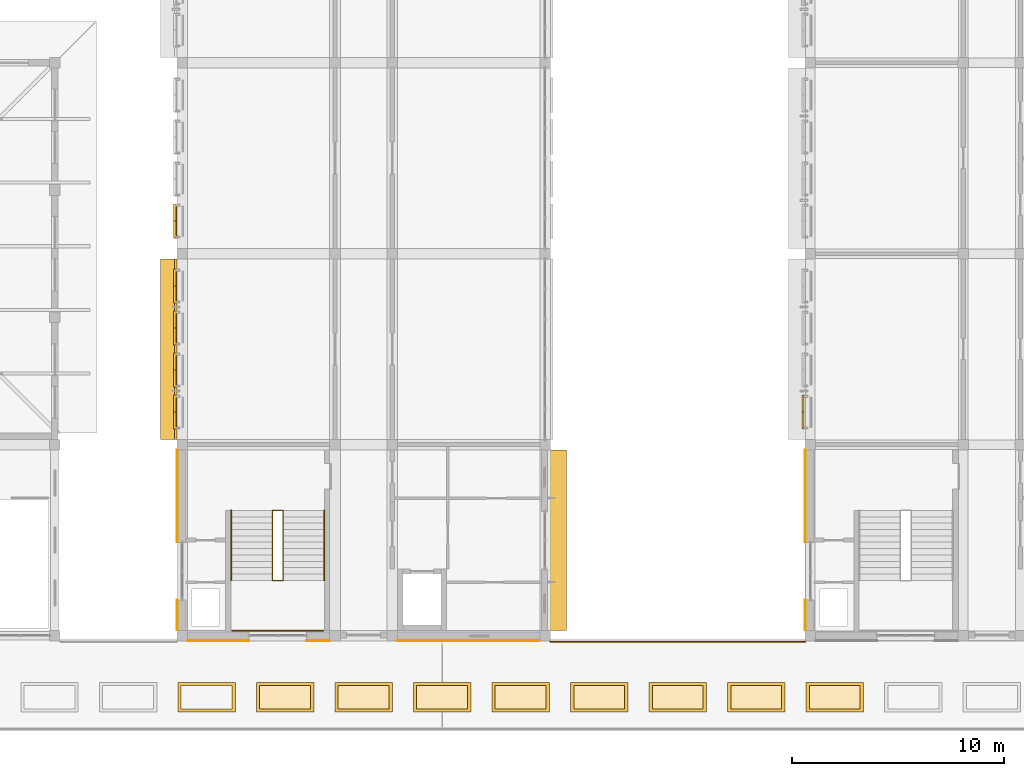
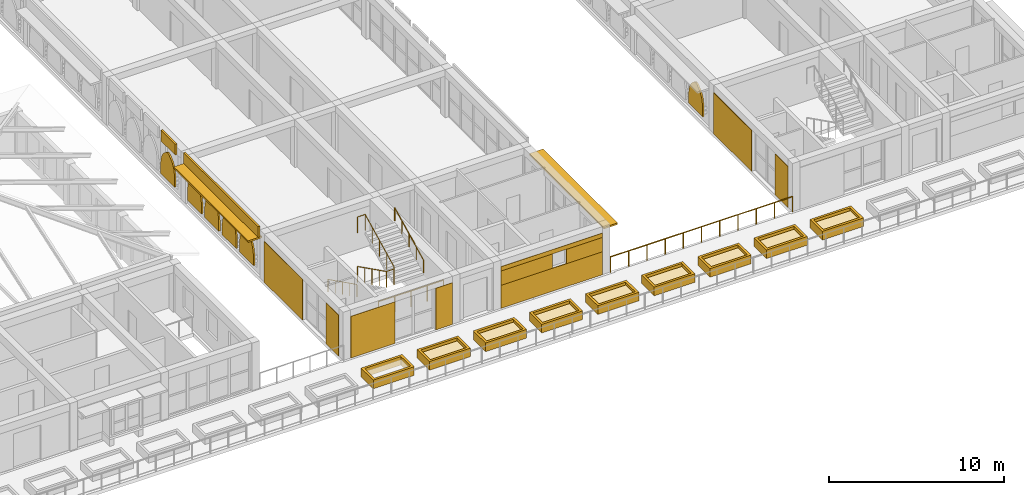
# One storey, part 71 of 82: 29 coverings, 8 shading devices, 5 railings.
"""IFC4 building model written with IfcOpenShell, lengths in metres."""

from ifc_helpers import new_model, si_unit, direction, frame, origin, origin_2d, place, context, subcontext, project, spatial, polyline, rectangle, circle, outline, extrude, material, layer, layer_set, type_object, element, save


model = new_model("IFC4")

# Units and contexts
model_context = context("Model", 3, precision=1e-05, world=origin(), true_north=direction((0.0, 1.0)))
body_context = subcontext(model_context, "Body", "Model", "MODEL_VIEW")
ifc_project = project(units=[si_unit("LENGTHUNIT", "METRE"), si_unit("AREAUNIT", "SQUARE_METRE"), si_unit("VOLUMEUNIT", "CUBIC_METRE"), si_unit("PLANEANGLEUNIT", "RADIAN"), si_unit("MASSUNIT", "GRAM", prefix="KILO")], contexts=[model_context])

# Site, building, storey
site_placement = place(None, origin())
site = spatial("IfcSite", under=ifc_project, at=site_placement, CompositionType="ELEMENT")
building_placement = place(site_placement, origin())
building = spatial("IfcBuilding", under=site, at=building_placement, Name="Elbe Cascade School", CompositionType="ELEMENT")
storey_placement = place(building_placement, frame((0.0, 0.0, 4.5)))
storey = spatial("IfcBuildingStorey", under=building, at=storey_placement, Name="L01", CompositionType="ELEMENT", Elevation=4.5)

# Railings
ifc_material_1 = material(Name="Steel S355J2H, painted", Category="steel")
railing_type_1 = type_object("IfcRailingType", Name="Bar stair guard 1100", PredefinedType="GUARDRAIL", material=ifc_material_1)
railing_1_placement = place(storey_placement, frame((73.25, 11.89990234375, 0.14990234375)))
element("IfcRailing", 1, at=railing_1_placement, inside=storey, type_object=railing_type_1, Name="Stair guard A1.S", PredefinedType="GUARDRAIL", context=body_context, shape_type="SweptSolid", body=[
    extrude(circle(Radius=0.02392578125, at=origin_2d()), frame((0.0, 0.0, 1.09619140625), z_axis=(0.0, -0.894400720042, 0.447266533499), x_axis=(1.0, 0.0, 0.0)), (0.0, 0.0, 1.0), 3.689453125),
    extrude(circle(Radius=0.02392578125, at=origin_2d()), frame((0.0, -3.2998046875, 2.74609375), z_axis=(1.0, 0.0, 0.0), x_axis=(0.0, 1.0, 0.0)), (0.0, 0.0, 1.0), 0.5),
    extrude(circle(Radius=0.02392578125, at=origin_2d()), frame((0.5, -3.2998046875, 2.74609375), z_axis=(0.0, 0.0, 1.0), x_axis=(1.0, 0.0, 0.0)), (0.0, 0.0, 1.0), 0.14990234375),
    extrude(circle(Radius=0.02392578125, at=origin_2d()), frame((0.5, -3.2998046875, 2.89599609375), z_axis=(0.0, 0.894400720042, 0.447266533499), x_axis=(-1.0, 0.0, 0.0)), (0.0, 0.0, 1.0), 3.689453125),
    extrude(circle(Radius=0.02392578125, at=origin_2d()), frame((0.5, 0.0, 4.54638671875), z_axis=(-1.0, 0.0, 0.0), x_axis=(0.0, -1.0, 0.0)), (0.0, 0.0, 1.0), 0.5),
    extrude(circle(Radius=0.02099609375, at=origin_2d()), origin(), (0.0, 0.0, 1.0), 1.072021484375),
    extrude(circle(Radius=0.02099609375, at=origin_2d()), frame((0.0, -0.824951171875, 0.41259765625)), (0.0, 0.0, 1.0), 1.072021484375),
    extrude(circle(Radius=0.02099609375, at=origin_2d()), frame((0.0, -1.64990234375, 0.8251953125)), (0.0, 0.0, 1.0), 1.072021484375),
    extrude(circle(Radius=0.02099609375, at=origin_2d()), frame((0.0, -2.474853515625, 1.237548828125)), (0.0, 0.0, 1.0), 1.072021484375),
    extrude(circle(Radius=0.02099609375, at=origin_2d()), frame((0.0, -3.2998046875, 1.650146484375)), (0.0, 0.0, 1.0), 1.072021484375),
    extrude(circle(Radius=0.02099609375, at=origin_2d()), frame((0.5, -3.2998046875, 1.650146484375)), (0.0, 0.0, 1.0), 1.072021484375),
    extrude(circle(Radius=0.02099609375, at=origin_2d()), frame((0.5, -3.2998046875, 1.800048828125)), (0.0, 0.0, 1.0), 1.072021484375),
    extrude(circle(Radius=0.02099609375, at=origin_2d()), frame((0.5, -2.474853515625, 2.212646484375)), (0.0, 0.0, 1.0), 1.072021484375),
    extrude(circle(Radius=0.02099609375, at=origin_2d()), frame((0.5, -1.64990234375, 2.625)), (0.0, 0.0, 1.0), 1.072021484375),
    extrude(circle(Radius=0.02099609375, at=origin_2d()), frame((0.5, -0.824951171875, 3.03759765625)), (0.0, 0.0, 1.0), 1.072021484375),
    extrude(circle(Radius=0.02099609375, at=origin_2d()), frame((0.5, 0.0, 3.4501953125)), (0.0, 0.0, 1.0), 1.072021484375),
    extrude(circle(Radius=0.02099609375, at=origin_2d()), frame((0.0, 0.0, 3.4501953125)), (0.0, 0.0, 1.0), 1.072021484375),
])
railing_2_placement = place(storey_placement, frame((71.360107421875, 6.239990234375, 1.800048828125)))
element("IfcRailing", 2, at=railing_2_placement, inside=storey, type_object=railing_type_1, Name="Stair guard A1.S", PredefinedType="GUARDRAIL", context=body_context, shape_type="SweptSolid", body=[
    extrude(circle(Radius=0.02392578125, at=origin_2d()), frame((0.0, 0.0, 1.09619140625), z_axis=(1.0, 0.0, 0.0), x_axis=(0.0, 1.0, 0.0)), (0.0, 0.0, 1.0), 4.27978515625),
    extrude(circle(Radius=0.02099609375, at=origin_2d()), origin(), (0.0, 0.0, 1.0), 1.072021484375),
    extrude(circle(Radius=0.02099609375, at=origin_2d()), frame((1.06982421875, 0.0, 0.0)), (0.0, 0.0, 1.0), 1.072021484375),
    extrude(circle(Radius=0.02099609375, at=origin_2d()), frame((2.139892578125, 0.0, 0.0)), (0.0, 0.0, 1.0), 1.072021484375),
    extrude(circle(Radius=0.02099609375, at=origin_2d()), frame((3.2099609375, 0.0, 0.0)), (0.0, 0.0, 1.0), 1.072021484375),
    extrude(circle(Radius=0.02099609375, at=origin_2d()), frame((4.27978515625, 0.0, 0.0)), (0.0, 0.0, 1.0), 1.072021484375),
])
ifc_material_2 = material(Name="Steel S355J2H, painted", Category="steel")
railing_type_2 = type_object("IfcRailingType", Name="Bar stair handrail 900", PredefinedType="HANDRAIL", material=ifc_material_2)
railing_3_placement = place(storey_placement, frame((71.300048828125, 11.89990234375, 0.14990234375)))
element("IfcRailing", 3, at=railing_3_placement, inside=storey, type_object=railing_type_2, Name="Stair handrail A1.S", PredefinedType="HANDRAIL", context=body_context, shape_type="SweptSolid", body=[
    extrude(circle(Radius=0.02392578125, at=origin_2d()), frame((0.0, 0.0, 0.8759765625), z_axis=(0.0, -0.894400720042, 0.447266533499), x_axis=(1.0, 0.0, 0.0)), (0.0, 0.0, 1.0), 3.689453125),
    extrude(circle(Radius=0.02099609375, at=origin_2d()), origin(), (0.0, 0.0, 1.0), 0.851806640625),
    extrude(circle(Radius=0.02099609375, at=origin_2d()), frame((0.0, -0.824951171875, 0.41259765625)), (0.0, 0.0, 1.0), 0.851806640625),
    extrude(circle(Radius=0.02099609375, at=origin_2d()), frame((0.0, -1.64990234375, 0.8251953125)), (0.0, 0.0, 1.0), 0.851806640625),
    extrude(circle(Radius=0.02099609375, at=origin_2d()), frame((0.0, -2.474853515625, 1.237548828125)), (0.0, 0.0, 1.0), 0.851806640625),
    extrude(circle(Radius=0.02099609375, at=origin_2d()), frame((0.0, -3.2998046875, 1.650146484375)), (0.0, 0.0, 1.0), 0.851806640625),
])
railing_4_placement = place(storey_placement, frame((75.699951171875, 8.60009765625, 1.949951171875)))
element("IfcRailing", 4, at=railing_4_placement, inside=storey, type_object=railing_type_2, Name="Stair handrail A1.S", PredefinedType="HANDRAIL", context=body_context, shape_type="SweptSolid", body=[
    extrude(circle(Radius=0.02392578125, at=origin_2d()), frame((0.0, 0.0, 0.8759765625), z_axis=(0.0, 0.894400720042, 0.447266533499), x_axis=(-1.0, 0.0, 0.0)), (0.0, 0.0, 1.0), 3.689453125),
    extrude(circle(Radius=0.02099609375, at=origin_2d()), origin(), (0.0, 0.0, 1.0), 0.851806640625),
    extrude(circle(Radius=0.02099609375, at=origin_2d()), frame((0.0, 0.824951171875, 0.41259765625)), (0.0, 0.0, 1.0), 0.851806640625),
    extrude(circle(Radius=0.02099609375, at=origin_2d()), frame((0.0, 1.64990234375, 0.8251953125)), (0.0, 0.0, 1.0), 0.851806640625),
    extrude(circle(Radius=0.02099609375, at=origin_2d()), frame((0.0, 2.474853515625, 1.237548828125)), (0.0, 0.0, 1.0), 0.851806640625),
    extrude(circle(Radius=0.02099609375, at=origin_2d()), frame((0.0, 3.2998046875, 1.650146484375)), (0.0, 0.0, 1.0), 0.851806640625),
])

# Shading devices
ifc_material_3 = material(Name="Precast concrete C30/37", Category="concrete")
ifc_layer_1 = layer(ifc_material_3, 0.1201171875)
ifc_layer_set_1 = layer_set([ifc_layer_1], Name="Precast concrete C30/37")
shading_device_type_1 = type_object("IfcShadingDeviceType", Name="Bars envelope Chhajja eave, precast concrete, 900 x 120", PredefinedType="USERDEFINED", material=ifc_layer_set_1)
for number, where, z_axis, x_axis, name in (
    (5, (68.429931640625, 19.5, 2.72998046875), (0.0, 0.0, 1.0), (0.0, 1.0, 0.0), "Chhajja eave SD2 A.L01.w2"),
    (6, (86.669921875, 10.5, 2.72998046875), (0.0, 0.0, 1.0), (0.0, 1.0, 0.0), "Chhajja eave SD2 A.L01.e1"),
):
    element("IfcShadingDevice", number, at=place(storey_placement, frame(where, z_axis=z_axis, x_axis=x_axis)), inside=storey, type_object=shading_device_type_1, Name=name, ObjectType="CHHAJJA", PredefinedType="USERDEFINED", context=body_context, shape_type="SweptSolid", body=[
        extrude(rectangle(XDim=8.5, YDim=0.89990234375, at=origin_2d()), origin(), (0.0, 0.0, 1.0), 0.1201171875),
    ])
ifc_material_4 = material(Name="Precast concrete C40/50", Category="concrete")
ifc_layer_2 = layer(ifc_material_4, 0.10009765625)
ifc_layer_set_2 = layer_set([ifc_layer_2], Name="Precast concrete C40/50")
shading_device_type_2 = type_object("IfcShadingDeviceType", Name="Bars envelope Jali screen 1600 x 1940, pointed arch rise 1200, pierced precast concrete", PredefinedType="USERDEFINED", material=ifc_layer_set_2)
shading_device_1_placement = place(storey_placement, frame((68.60009765625, 15.72998046875, 1.340087890625), z_axis=(-1.0, 0.0, 0.0), x_axis=(0.0, 0.196300278283, 0.98054382908)))
element("IfcShadingDevice", 7, at=shading_device_1_placement, inside=storey, type_object=shading_device_type_2, Name="Jali screen SD4 A.L01.w2.1", ObjectType="JALI", PredefinedType="USERDEFINED", context=body_context, shape_type="SweptSolid", body=[
    extrude(outline(polyline([(0.0, 0.0), (0.509921112317134, 0.0), (0.7184015554229473, 0.06009802405484588), (0.8733064327485943, 0.13117061016154), (0.9982395622926888, 0.20799441476340969), (1.102872417131342, 0.2891312241218946), (1.1917054934740825, 0.37343107507379947), (1.268281725197354, 0.45993570394643946), (1.3336545243794973, 0.5489321924158467), (1.3075321958793382, 0.6559965916457164), (1.2702064348380508, 0.7655528504723534), (1.220671754049922, 0.877553277802997), (1.155289369893253, 0.9924773561437888), (1.0696067110311427, 1.1117144392411962), (0.9539523043874798, 1.2367027408337792), (0.7847223319636507, 1.37266560447821), (0.31409961520112845, 1.5689658827607584), (-0.41149324269448634, 1.7142261716949392), (-0.7255928578956148, 0.1452602889341807), (0.0, 0.0)])), origin(), (0.0, 0.0, -1.0), 0.10009765625),
])
for number, where, z_axis, x_axis, name in (
    (8, (68.60009765625, 17.7099609375, 1.340087890625), (-1.0, 0.0, 0.0), (0.0, 0.196300278283, 0.98054382908), "Jali screen SD4 A.L01.w2.2"),
    (9, (68.60009765625, 19.68994140625, 1.340087890625), (-1.0, 0.0, 0.0), (0.0, 0.196300278283, 0.98054382908), "Jali screen SD4 A.L01.w2.3"),
):
    element("IfcShadingDevice", number, at=place(storey_placement, frame(where, z_axis=z_axis, x_axis=x_axis)), inside=storey, type_object=shading_device_type_2, Name=name, ObjectType="JALI", PredefinedType="USERDEFINED", context=body_context, shape_type="SweptSolid", body=[
        extrude(outline(polyline([(0.0, 0.0), (0.509921112317134, 0.0), (0.7184015554229473, 0.06009802405484588), (0.8733064327485943, 0.13117061016154), (0.9982874871653163, 0.20823380534668107), (1.102872417131342, 0.2891312241218946), (1.1917054934740825, 0.37343107507379947), (1.268281725197354, 0.45993570394643946), (1.3336545243794973, 0.5489321924158467), (1.3075801207519657, 0.6562359822289878), (1.2702064348380508, 0.7655528504723534), (1.220671754049922, 0.877553277802997), (1.155289369893253, 0.9924773561437888), (1.0696067110311427, 1.1117144392411962), (0.9540002292601073, 1.2369421314170506), (0.7847223319636507, 1.37266560447821), (0.31409961520112845, 1.5689658827607584), (-0.41149324269448634, 1.7142261716949392), (-0.7255928578956148, 0.1452602889341807), (0.0, 0.0)])), origin(), (0.0, 0.0, -1.0), 0.10009765625),
    ])
shading_device_2_placement = place(storey_placement, frame((68.60009765625, 21.669921875, 1.340087890625), z_axis=(-1.0, 0.0, 0.0), x_axis=(0.0, 0.196300278283, 0.98054382908)))
element("IfcShadingDevice", 10, at=shading_device_2_placement, inside=storey, type_object=shading_device_type_2, Name="Jali screen SD4 A.L01.w2.4", ObjectType="JALI", PredefinedType="USERDEFINED", context=body_context, shape_type="SweptSolid", body=[
    extrude(outline(polyline([(0.0, 0.0), (0.509921112317134, 0.0), (0.7184494802955748, 0.06033741463811729), (0.8733064327485943, 0.13117061016154), (0.9982874871653163, 0.20823380534668107), (1.102872417131342, 0.2891312241218946), (1.1917054934740825, 0.37343107507379947), (1.2683296500699814, 0.46017509452971084), (1.3336545243794973, 0.5489321924158467), (1.3075801207519657, 0.6562359822289878), (1.2702064348380508, 0.7655528504723534), (1.220671754049922, 0.877553277802997), (1.1553372947658807, 0.9927167467270602), (1.0696067110311427, 1.1117144392411962), (0.9540002292601073, 1.2369421314170506), (0.7847223319636507, 1.37266560447821), (0.31409961520112845, 1.5689658827607584), (-0.41149324269448634, 1.7142261716949392), (-0.7255928578956148, 0.1452602889341807), (0.0, 0.0)])), origin(), (0.0, 0.0, -1.0), 0.10009765625),
])
for number, where, z_axis, x_axis, name in (
    (11, (68.60009765625, 24.72998046875, 1.340087890625), (-1.0, 0.0, 0.0), (0.0, 0.196300278283, 0.98054382908), "Jali screen SD4 A.L01.w3.1"),
    (12, (98.199951171875, 15.72998046875, 1.340087890625), (-1.0, 0.0, 0.0), (0.0, 0.196300278283, 0.98054382908), "Jali screen SD4 B.L01.w2.1"),
):
    element("IfcShadingDevice", number, at=place(storey_placement, frame(where, z_axis=z_axis, x_axis=x_axis)), inside=storey, type_object=shading_device_type_2, Name=name, ObjectType="JALI", PredefinedType="USERDEFINED", context=body_context, shape_type="SweptSolid", body=[
        extrude(outline(polyline([(0.0, 0.0), (0.509921112317134, 0.0), (0.7184015554229473, 0.06009802405484588), (0.8733064327485943, 0.13117061016154), (0.9982395622926888, 0.20799441476340969), (1.102872417131342, 0.2891312241218946), (1.1917054934740825, 0.37343107507379947), (1.268281725197354, 0.45993570394643946), (1.3336545243794973, 0.5489321924158467), (1.3075321958793382, 0.6559965916457164), (1.2702064348380508, 0.7655528504723534), (1.220671754049922, 0.877553277802997), (1.155289369893253, 0.9924773561437888), (1.0696067110311427, 1.1117144392411962), (0.9539523043874798, 1.2367027408337792), (0.7847223319636507, 1.37266560447821), (0.31409961520112845, 1.5689658827607584), (-0.41149324269448634, 1.7142261716949392), (-0.7255928578956148, 0.1452602889341807), (0.0, 0.0)])), origin(), (0.0, 0.0, -1.0), 0.10009765625),
    ])

# Coverings
ifc_material_5 = material(Name="Sandstone - red", Category="masonry")
ifc_layer_3 = layer(ifc_material_5, 0.0400390625)
ifc_layer_set_3 = layer_set([ifc_layer_3], Name="Sandstone - red")
covering_type_1 = type_object("IfcCoveringType", Name="Bars envelope Sandstone cladding, red, 40 mm", PredefinedType="CLADDING", material=ifc_layer_set_3)
covering_1_placement = place(storey_placement, frame((68.760009765625, 6.969970703125, 0.0), z_axis=(0.0, 0.0, 1.0), x_axis=(0.0, 1.0, 0.0)))
element("IfcCovering", 13, at=covering_1_placement, inside=storey, type_object=covering_type_1, Name="Sandstone cladding CV48 A.L01.w.1a.1", PredefinedType="CLADDING", context=body_context, shape_type="SweptSolid", body=[
    extrude(rectangle(XDim=1.43994140625, YDim=0.0400390625, at=origin_2d()), origin(), (0.0, 0.0, 1.0), 2.85009765625),
])
covering_2_placement = place(storey_placement, frame((68.760009765625, 12.570068359375, 0.0), z_axis=(0.0, 0.0, 1.0), x_axis=(0.0, 1.0, 0.0)))
element("IfcCovering", 14, at=covering_2_placement, inside=storey, type_object=covering_type_1, Name="Sandstone cladding CV48 A.L01.w.1b.1", PredefinedType="CLADDING", context=body_context, shape_type="SweptSolid", body=[
    extrude(rectangle(XDim=4.360107421875, YDim=0.0400390625, at=origin_2d()), origin(), (0.0, 0.0, 1.0), 2.85009765625),
])
covering_3_placement = place(storey_placement, frame((70.699951171875, 5.760009765625, 0.0), z_axis=(0.0, 0.0, 1.0), x_axis=(1.0, 0.0, 0.0)))
element("IfcCovering", 15, at=covering_3_placement, inside=storey, type_object=covering_type_1, Name="Sandstone cladding CV48 A.L01.s.1a.1", PredefinedType="CLADDING", context=body_context, shape_type="SweptSolid", body=[
    extrude(rectangle(XDim=2.89990234375, YDim=0.0400390625, at=origin_2d()), origin(), (0.0, 0.0, 1.0), 2.89990234375),
])
covering_4_placement = place(storey_placement, frame((75.39990234375, 5.760009765625, 0.0), z_axis=(0.0, 0.0, 1.0), x_axis=(1.0, 0.0, 0.0)))
element("IfcCovering", 16, at=covering_4_placement, inside=storey, type_object=covering_type_1, Name="Sandstone cladding CV48 A.L01.s.1b.1", PredefinedType="CLADDING", context=body_context, shape_type="SweptSolid", body=[
    extrude(rectangle(XDim=1.10009765625, YDim=0.0400390625, at=origin_2d()), origin(), (0.0, 0.0, 1.0), 2.89990234375),
])
covering_5_placement = place(storey_placement, frame((82.5, 5.760009765625, 0.0), z_axis=(0.0, 0.0, 1.0), x_axis=(1.0, 0.0, 0.0)))
element("IfcCovering", 17, at=covering_5_placement, inside=storey, type_object=covering_type_1, Name="Sandstone cladding CV48 A.L01.s.3.1", PredefinedType="CLADDING", context=body_context, shape_type="SweptSolid", body=[
    extrude(rectangle(XDim=6.699951171875, YDim=0.0400390625, at=origin_2d()), origin(), (0.0, 0.0, 1.0), 1.60009765625),
])
covering_6_placement = place(storey_placement, frame((80.85009765625, 5.760009765625, 1.60009765625), z_axis=(0.0, 0.0, 1.0), x_axis=(1.0, 0.0, 0.0)))
element("IfcCovering", 18, at=covering_6_placement, inside=storey, type_object=covering_type_1, Name="Sandstone cladding CV48 A.L01.s.3.2", PredefinedType="CLADDING", context=body_context, shape_type="SweptSolid", body=[
    extrude(rectangle(XDim=3.39990234375, YDim=0.0400390625, at=origin_2d()), origin(), (0.0, 0.0, 1.0), 1.0),
])
covering_7_placement = place(storey_placement, frame((84.64990234375, 5.760009765625, 1.60009765625), z_axis=(0.0, 0.0, 1.0), x_axis=(1.0, 0.0, 0.0)))
element("IfcCovering", 19, at=covering_7_placement, inside=storey, type_object=covering_type_1, Name="Sandstone cladding CV48 A.L01.s.3.3", PredefinedType="CLADDING", context=body_context, shape_type="SweptSolid", body=[
    extrude(rectangle(XDim=2.39990234375, YDim=0.0400390625, at=origin_2d()), origin(), (0.0, 0.0, 1.0), 1.0),
])
covering_8_placement = place(storey_placement, frame((82.5, 5.760009765625, 2.60009765625), z_axis=(0.0, 0.0, 1.0), x_axis=(1.0, 0.0, 0.0)))
element("IfcCovering", 20, at=covering_8_placement, inside=storey, type_object=covering_type_1, Name="Sandstone cladding CV48 A.L01.s.3.4", PredefinedType="CLADDING", context=body_context, shape_type="SweptSolid", body=[
    extrude(rectangle(XDim=6.699951171875, YDim=0.0400390625, at=origin_2d()), origin(), (0.0, 0.0, 1.0), 0.300048828125),
])
covering_9_placement = place(storey_placement, frame((98.360107421875, 6.969970703125, 0.0), z_axis=(0.0, 0.0, 1.0), x_axis=(0.0, 1.0, 0.0)))
element("IfcCovering", 21, at=covering_9_placement, inside=storey, type_object=covering_type_1, Name="Sandstone cladding CV48 B.L01.w.1a.1", PredefinedType="CLADDING", context=body_context, shape_type="SweptSolid", body=[
    extrude(rectangle(XDim=1.43994140625, YDim=0.0400390625, at=origin_2d()), origin(), (0.0, 0.0, 1.0), 2.85009765625),
])
covering_10_placement = place(storey_placement, frame((98.360107421875, 12.570068359375, 0.0), z_axis=(0.0, 0.0, 1.0), x_axis=(0.0, 1.0, 0.0)))
element("IfcCovering", 22, at=covering_10_placement, inside=storey, type_object=covering_type_1, Name="Sandstone cladding CV48 B.L01.w.1b.1", PredefinedType="CLADDING", context=body_context, shape_type="SweptSolid", body=[
    extrude(rectangle(XDim=4.360107421875, YDim=0.0400390625, at=origin_2d()), origin(), (0.0, 0.0, 1.0), 2.85009765625),
])
ifc_material_6 = material(Name="Sandstone - red", Category="masonry")
covering_type_2 = type_object("IfcCoveringType", Name="Bars envelope Sandstone spandrel band, 120 deep", PredefinedType="CLADDING", material=ifc_material_6)
covering_11_placement = place(storey_placement, frame((68.68994140625, 19.5, 2.85009765625), z_axis=(0.0, 0.0, 1.0), x_axis=(0.0, 1.0, 0.0)))
element("IfcCovering", 23, at=covering_11_placement, inside=storey, type_object=covering_type_2, Name="Spandrel band CV53 A.L01.w1.1", PredefinedType="CLADDING", context=body_context, shape_type="SweptSolid", body=[
    extrude(rectangle(XDim=8.5, YDim=0.1201171875, at=origin_2d()), origin(), (0.0, 0.0, 1.0), 0.75),
])
covering_12_placement = place(storey_placement, frame((68.68994140625, 25.530029296875, 2.85009765625), z_axis=(0.0, 0.0, 1.0), x_axis=(0.0, 1.0, 0.0)))
element("IfcCovering", 24, at=covering_12_placement, inside=storey, type_object=covering_type_2, Name="Spandrel band CV53 A.L01.w2.1", PredefinedType="CLADDING", context=body_context, shape_type="SweptSolid", body=[
    extrude(rectangle(XDim=1.639892578125, YDim=0.1201171875, at=origin_2d()), origin(), (0.0, 0.0, 1.0), 0.75),
])

# Railing
ifc_material_7 = material(Name="Steel S355J2H", Category="steel")
railing_type_3 = type_object("IfcRailingType", Name="Quay and steps guard 1100", PredefinedType="GUARDRAIL", material=ifc_material_7)
railing_5_placement = place(storey_placement, frame((86.35009765625, 5.719970703125, 0.0)))
element("IfcRailing", 25, at=railing_5_placement, inside=storey, type_object=railing_type_3, Name="Colonnade roof guard 5", PredefinedType="GUARDRAIL", context=body_context, shape_type="SweptSolid", body=[
    extrude(circle(Radius=0.02392578125, at=origin_2d()), frame((0.0, 0.0, 1.076171875), z_axis=(1.0, 0.0, 0.0), x_axis=(0.0, 1.0, 0.0)), (0.0, 0.0, 1.0), 12.0),
    extrude(circle(Radius=0.02099609375, at=origin_2d()), origin(), (0.0, 0.0, 1.0), 1.052001953125),
    extrude(circle(Radius=0.02099609375, at=origin_2d()), frame((1.199951171875, 0.0, 0.0)), (0.0, 0.0, 1.0), 1.052001953125),
    extrude(circle(Radius=0.02099609375, at=origin_2d()), frame((2.39990234375, 0.0, 0.0)), (0.0, 0.0, 1.0), 1.052001953125),
    extrude(circle(Radius=0.02099609375, at=origin_2d()), frame((3.60009765625, 0.0, 0.0)), (0.0, 0.0, 1.0), 1.052001953125),
    extrude(circle(Radius=0.02099609375, at=origin_2d()), frame((4.800048828125, 0.0, 0.0)), (0.0, 0.0, 1.0), 1.052001953125),
    extrude(circle(Radius=0.02099609375, at=origin_2d()), frame((6.0, 0.0, 0.0)), (0.0, 0.0, 1.0), 1.052001953125),
    extrude(circle(Radius=0.02099609375, at=origin_2d()), frame((7.199951171875, 0.0, 0.0)), (0.0, 0.0, 1.0), 1.052001953125),
    extrude(circle(Radius=0.02099609375, at=origin_2d()), frame((8.39990234375, 0.0, 0.0)), (0.0, 0.0, 1.0), 1.052001953125),
    extrude(circle(Radius=0.02099609375, at=origin_2d()), frame((9.60009765625, 0.0, 0.0)), (0.0, 0.0, 1.0), 1.052001953125),
    extrude(circle(Radius=0.02099609375, at=origin_2d()), frame((10.800048828125, 0.0, 0.0)), (0.0, 0.0, 1.0), 1.052001953125),
    extrude(circle(Radius=0.02099609375, at=origin_2d()), frame((12.0, 0.0, 0.0)), (0.0, 0.0, 1.0), 1.052001953125),
])

# Coverings
ifc_material_8 = material(Name="Planting - soil and shrubs", Category="soil")
ifc_layer_4 = layer(ifc_material_8, 0.39990234375)
ifc_layer_set_4 = layer_set([ifc_layer_4], Name="Planting - soil and shrubs")
covering_type_3 = type_object("IfcCoveringType", Name="Site planting bed 400", PredefinedType="USERDEFINED", material=ifc_layer_set_4)
covering_13_placement = place(storey_placement, frame((0.0, 0.0, 0.0400390625)))
element("IfcCovering", 26, at=covering_13_placement, inside=storey, type_object=covering_type_3, Name="Colonnade roof planting bed 15", ObjectType="PLANTING BED", PredefinedType="USERDEFINED", context=body_context, shape_type="SweptSolid", body=[
    extrude(outline(polyline([(72.64990234375, 2.550048828125), (75.050048828125, 2.550048828125), (75.050048828125, 3.64990234375), (72.64990234375, 3.64990234375), (72.64990234375, 2.550048828125)])), origin(), (0.0, 0.0, 1.0), 0.39990234375),
])
covering_14_placement = place(storey_placement, frame((0.0, 0.0, 0.0400390625)))
element("IfcCovering", 27, at=covering_14_placement, inside=storey, type_object=covering_type_3, Name="Colonnade roof planting bed 16", ObjectType="PLANTING BED", PredefinedType="USERDEFINED", context=body_context, shape_type="SweptSolid", body=[
    extrude(outline(polyline([(76.35009765625, 2.550048828125), (78.75, 2.550048828125), (78.75, 3.64990234375), (76.35009765625, 3.64990234375), (76.35009765625, 2.550048828125)])), origin(), (0.0, 0.0, 1.0), 0.39990234375),
])
covering_15_placement = place(storey_placement, frame((0.0, 0.0, 0.0400390625)))
element("IfcCovering", 28, at=covering_15_placement, inside=storey, type_object=covering_type_3, Name="Colonnade roof planting bed 17", ObjectType="PLANTING BED", PredefinedType="USERDEFINED", context=body_context, shape_type="SweptSolid", body=[
    extrude(outline(polyline([(80.050048828125, 2.550048828125), (82.449951171875, 2.550048828125), (82.449951171875, 3.64990234375), (80.050048828125, 3.64990234375), (80.050048828125, 2.550048828125)])), origin(), (0.0, 0.0, 1.0), 0.39990234375),
])
covering_16_placement = place(storey_placement, frame((0.0, 0.0, 0.0400390625)))
element("IfcCovering", 29, at=covering_16_placement, inside=storey, type_object=covering_type_3, Name="Colonnade roof planting bed 18", ObjectType="PLANTING BED", PredefinedType="USERDEFINED", context=body_context, shape_type="SweptSolid", body=[
    extrude(outline(polyline([(83.75, 2.550048828125), (86.14990234375, 2.550048828125), (86.14990234375, 3.64990234375), (83.75, 3.64990234375), (83.75, 2.550048828125)])), origin(), (0.0, 0.0, 1.0), 0.39990234375),
])
covering_17_placement = place(storey_placement, frame((0.0, 0.0, 0.0400390625)))
element("IfcCovering", 30, at=covering_17_placement, inside=storey, type_object=covering_type_3, Name="Colonnade roof planting bed 19", ObjectType="PLANTING BED", PredefinedType="USERDEFINED", context=body_context, shape_type="SweptSolid", body=[
    extrude(outline(polyline([(87.449951171875, 2.550048828125), (89.85009765625, 2.550048828125), (89.85009765625, 3.64990234375), (87.449951171875, 3.64990234375), (87.449951171875, 2.550048828125)])), origin(), (0.0, 0.0, 1.0), 0.39990234375),
])
covering_18_placement = place(storey_placement, frame((0.0, 0.0, 0.0400390625)))
element("IfcCovering", 31, at=covering_18_placement, inside=storey, type_object=covering_type_3, Name="Colonnade roof planting bed 20", ObjectType="PLANTING BED", PredefinedType="USERDEFINED", context=body_context, shape_type="SweptSolid", body=[
    extrude(outline(polyline([(91.14990234375, 2.550048828125), (93.550048828125, 2.550048828125), (93.550048828125, 3.64990234375), (91.14990234375, 3.64990234375), (91.14990234375, 2.550048828125)])), origin(), (0.0, 0.0, 1.0), 0.39990234375),
])
covering_19_placement = place(storey_placement, frame((0.0, 0.0, 0.0400390625)))
element("IfcCovering", 32, at=covering_19_placement, inside=storey, type_object=covering_type_3, Name="Colonnade roof planting bed 21", ObjectType="PLANTING BED", PredefinedType="USERDEFINED", context=body_context, shape_type="SweptSolid", body=[
    extrude(outline(polyline([(94.85009765625, 2.550048828125), (97.25, 2.550048828125), (97.25, 3.64990234375), (94.85009765625, 3.64990234375), (94.85009765625, 2.550048828125)])), origin(), (0.0, 0.0, 1.0), 0.39990234375),
])
covering_20_placement = place(storey_placement, frame((0.0, 0.0, 0.0400390625)))
element("IfcCovering", 33, at=covering_20_placement, inside=storey, type_object=covering_type_3, Name="Colonnade roof planting bed 22", ObjectType="PLANTING BED", PredefinedType="USERDEFINED", context=body_context, shape_type="SweptSolid", body=[
    extrude(outline(polyline([(98.550048828125, 2.550048828125), (100.949951171875, 2.550048828125), (100.949951171875, 3.64990234375), (98.550048828125, 3.64990234375), (98.550048828125, 2.550048828125)])), origin(), (0.0, 0.0, 1.0), 0.39990234375),
])
ifc_material_9 = material(Name="Concrete C30/37 precast kerb", Category="concrete")
ifc_layer_5 = layer(ifc_material_9, 0.14990234375)
ifc_layer_set_5 = layer_set([ifc_layer_5], Name="Concrete C30/37 precast kerb")
covering_type_4 = type_object("IfcCoveringType", Name="Site planting bed kerb 150x600", PredefinedType="CLADDING", material=ifc_layer_set_5)
covering_21_placement = place(storey_placement, frame((0.0, 0.0, 0.0400390625)))
element("IfcCovering", 34, at=covering_21_placement, inside=storey, type_object=covering_type_4, Name="Colonnade roof planting bed kerb 14", PredefinedType="CLADDING", context=body_context, shape_type="SweptSolid", body=[
    extrude(outline(polyline([(68.800048828125, 2.39990234375), (71.5, 2.39990234375), (71.5, 3.800048828125), (68.800048828125, 3.800048828125), (68.800048828125, 2.39990234375)]), holes=[polyline([(68.949951171875, 2.550048828125), (71.35009765625, 2.550048828125), (71.35009765625, 3.64990234375), (68.949951171875, 3.64990234375), (68.949951171875, 2.550048828125)])]), origin(), (0.0, 0.0, 1.0), 0.599853515625),
])
covering_22_placement = place(storey_placement, frame((0.0, 0.0, 0.0400390625)))
element("IfcCovering", 35, at=covering_22_placement, inside=storey, type_object=covering_type_4, Name="Colonnade roof planting bed kerb 15", PredefinedType="CLADDING", context=body_context, shape_type="SweptSolid", body=[
    extrude(outline(polyline([(72.5, 2.39990234375), (75.199951171875, 2.39990234375), (75.199951171875, 3.800048828125), (72.5, 3.800048828125), (72.5, 2.39990234375)]), holes=[polyline([(72.64990234375, 2.550048828125), (75.050048828125, 2.550048828125), (75.050048828125, 3.64990234375), (72.64990234375, 3.64990234375), (72.64990234375, 2.550048828125)])]), origin(), (0.0, 0.0, 1.0), 0.599853515625),
])
covering_23_placement = place(storey_placement, frame((0.0, 0.0, 0.0400390625)))
element("IfcCovering", 36, at=covering_23_placement, inside=storey, type_object=covering_type_4, Name="Colonnade roof planting bed kerb 16", PredefinedType="CLADDING", context=body_context, shape_type="SweptSolid", body=[
    extrude(outline(polyline([(76.199951171875, 2.39990234375), (78.89990234375, 2.39990234375), (78.89990234375, 3.800048828125), (76.199951171875, 3.800048828125), (76.199951171875, 2.39990234375)]), holes=[polyline([(76.35009765625, 2.550048828125), (78.75, 2.550048828125), (78.75, 3.64990234375), (76.35009765625, 3.64990234375), (76.35009765625, 2.550048828125)])]), origin(), (0.0, 0.0, 1.0), 0.599853515625),
])
covering_24_placement = place(storey_placement, frame((0.0, 0.0, 0.0400390625)))
element("IfcCovering", 37, at=covering_24_placement, inside=storey, type_object=covering_type_4, Name="Colonnade roof planting bed kerb 17", PredefinedType="CLADDING", context=body_context, shape_type="SweptSolid", body=[
    extrude(outline(polyline([(79.89990234375, 2.39990234375), (82.60009765625, 2.39990234375), (82.60009765625, 3.800048828125), (79.89990234375, 3.800048828125), (79.89990234375, 2.39990234375)]), holes=[polyline([(80.050048828125, 2.550048828125), (82.449951171875, 2.550048828125), (82.449951171875, 3.64990234375), (80.050048828125, 3.64990234375), (80.050048828125, 2.550048828125)])]), origin(), (0.0, 0.0, 1.0), 0.599853515625),
])
covering_25_placement = place(storey_placement, frame((0.0, 0.0, 0.0400390625)))
element("IfcCovering", 38, at=covering_25_placement, inside=storey, type_object=covering_type_4, Name="Colonnade roof planting bed kerb 18", PredefinedType="CLADDING", context=body_context, shape_type="SweptSolid", body=[
    extrude(outline(polyline([(83.60009765625, 2.39990234375), (86.300048828125, 2.39990234375), (86.300048828125, 3.800048828125), (83.60009765625, 3.800048828125), (83.60009765625, 2.39990234375)]), holes=[polyline([(83.75, 2.550048828125), (86.14990234375, 2.550048828125), (86.14990234375, 3.64990234375), (83.75, 3.64990234375), (83.75, 2.550048828125)])]), origin(), (0.0, 0.0, 1.0), 0.599853515625),
])
covering_26_placement = place(storey_placement, frame((0.0, 0.0, 0.0400390625)))
element("IfcCovering", 39, at=covering_26_placement, inside=storey, type_object=covering_type_4, Name="Colonnade roof planting bed kerb 19", PredefinedType="CLADDING", context=body_context, shape_type="SweptSolid", body=[
    extrude(outline(polyline([(87.300048828125, 2.39990234375), (90.0, 2.39990234375), (90.0, 3.800048828125), (87.300048828125, 3.800048828125), (87.300048828125, 2.39990234375)]), holes=[polyline([(87.449951171875, 2.550048828125), (89.85009765625, 2.550048828125), (89.85009765625, 3.64990234375), (87.449951171875, 3.64990234375), (87.449951171875, 2.550048828125)])]), origin(), (0.0, 0.0, 1.0), 0.599853515625),
])
covering_27_placement = place(storey_placement, frame((0.0, 0.0, 0.0400390625)))
element("IfcCovering", 40, at=covering_27_placement, inside=storey, type_object=covering_type_4, Name="Colonnade roof planting bed kerb 20", PredefinedType="CLADDING", context=body_context, shape_type="SweptSolid", body=[
    extrude(outline(polyline([(91.0, 2.39990234375), (93.699951171875, 2.39990234375), (93.699951171875, 3.800048828125), (91.0, 3.800048828125), (91.0, 2.39990234375)]), holes=[polyline([(91.14990234375, 2.550048828125), (93.550048828125, 2.550048828125), (93.550048828125, 3.64990234375), (91.14990234375, 3.64990234375), (91.14990234375, 2.550048828125)])]), origin(), (0.0, 0.0, 1.0), 0.599853515625),
])
covering_28_placement = place(storey_placement, frame((0.0, 0.0, 0.0400390625)))
element("IfcCovering", 41, at=covering_28_placement, inside=storey, type_object=covering_type_4, Name="Colonnade roof planting bed kerb 21", PredefinedType="CLADDING", context=body_context, shape_type="SweptSolid", body=[
    extrude(outline(polyline([(94.699951171875, 2.39990234375), (97.39990234375, 2.39990234375), (97.39990234375, 3.800048828125), (94.699951171875, 3.800048828125), (94.699951171875, 2.39990234375)]), holes=[polyline([(94.85009765625, 2.550048828125), (97.25, 2.550048828125), (97.25, 3.64990234375), (94.85009765625, 3.64990234375), (94.85009765625, 2.550048828125)])]), origin(), (0.0, 0.0, 1.0), 0.599853515625),
])
covering_29_placement = place(storey_placement, frame((0.0, 0.0, 0.0400390625)))
element("IfcCovering", 42, at=covering_29_placement, inside=storey, type_object=covering_type_4, Name="Colonnade roof planting bed kerb 22", PredefinedType="CLADDING", context=body_context, shape_type="SweptSolid", body=[
    extrude(outline(polyline([(98.39990234375, 2.39990234375), (101.10009765625, 2.39990234375), (101.10009765625, 3.800048828125), (98.39990234375, 3.800048828125), (98.39990234375, 2.39990234375)]), holes=[polyline([(98.550048828125, 2.550048828125), (100.949951171875, 2.550048828125), (100.949951171875, 3.64990234375), (98.550048828125, 3.64990234375), (98.550048828125, 2.550048828125)])]), origin(), (0.0, 0.0, 1.0), 0.599853515625),
])

save(model, "model.ifc")
